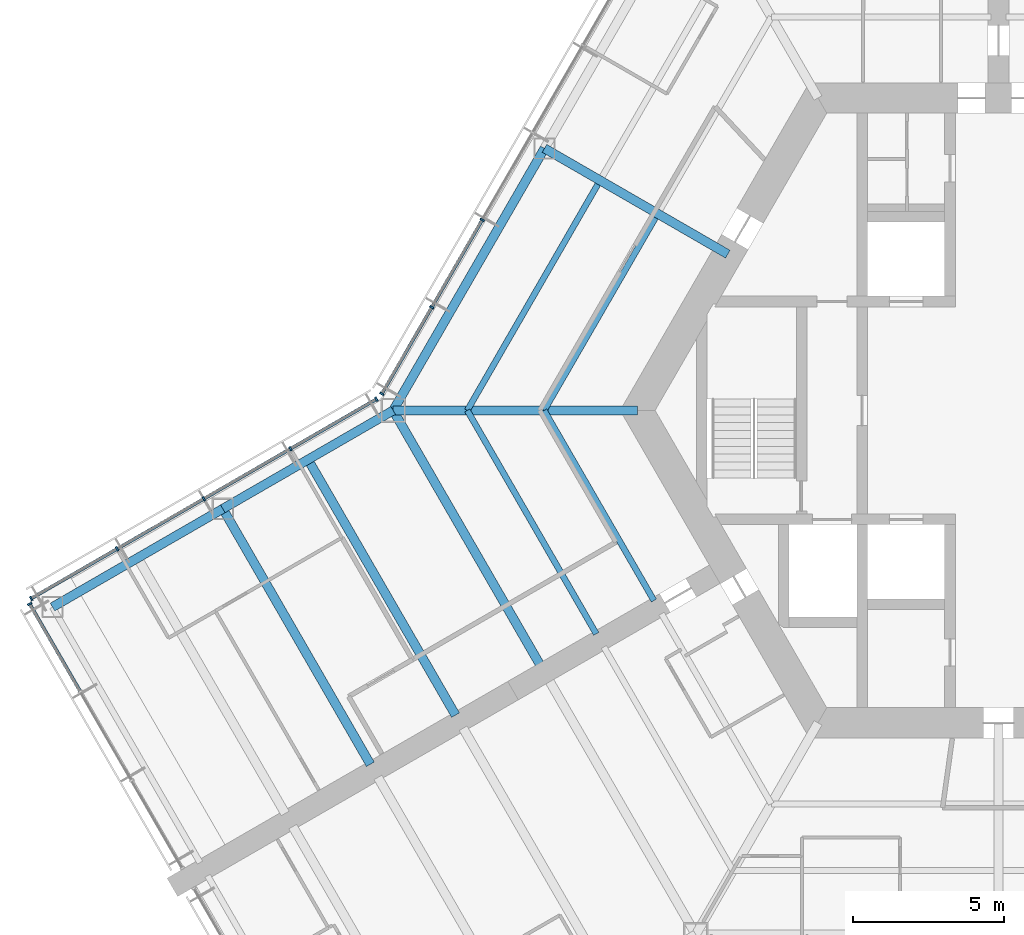
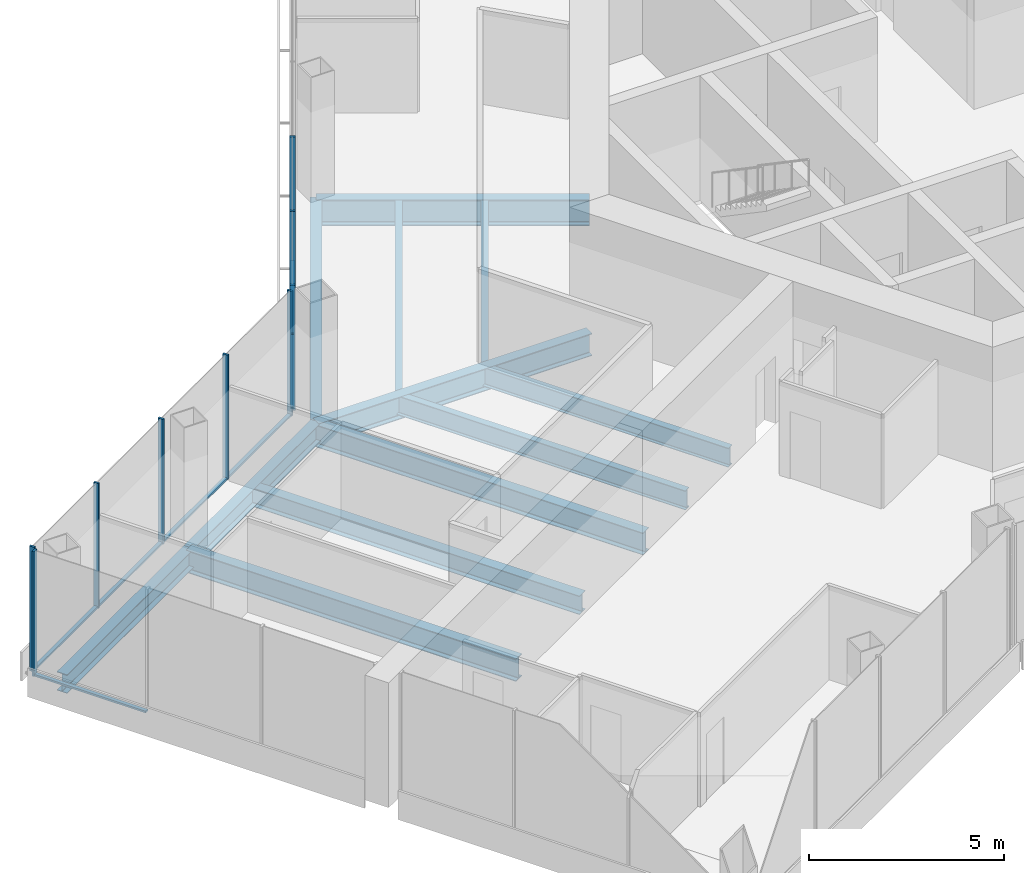
# One storey, part 4 of 18: 16 members, 12 beams, 3 elements without a shape of their own.
"""IFC4 building model written with IfcOpenShell, lengths in metres."""

from ifc_helpers import new_model, si_unit, direction, frame, origin, origin_2d, place, context, subcontext, project, spatial, rectangle, i_section, extrude, material, material_profile, profile_set, type_object, element, aggregate, save


model = new_model("IFC4")

# Units and contexts
model_context = context("Model", 3, precision=1e-05, world=origin(), true_north=direction((0.0, 1.0)))
body_context = subcontext(model_context, "Body", "Model", "MODEL_VIEW")
ifc_project = project(units=[si_unit("LENGTHUNIT", "METRE"), si_unit("AREAUNIT", "SQUARE_METRE"), si_unit("VOLUMEUNIT", "CUBIC_METRE"), si_unit("PLANEANGLEUNIT", "RADIAN"), si_unit("MASSUNIT", "GRAM", prefix="KILO")], contexts=[model_context])

# Site, building, storey
site_placement = place(None, origin())
site = spatial("IfcSite", under=ifc_project, at=site_placement, CompositionType="ELEMENT")
building_placement = place(site_placement, origin())
building = spatial("IfcBuilding", under=site, at=building_placement, Name="Kasaneha Research Tower", CompositionType="ELEMENT")
storey_placement = place(building_placement, frame((0.0, 0.0, 191.60009765625)))
storey = spatial("IfcBuildingStorey", under=building, at=storey_placement, Name="L48", CompositionType="ELEMENT", Elevation=191.60009765625)

# Beams
ifc_material_1 = material(Name="Steel SN490B", Category="steel")
ifc_material_profile_1 = material_profile(ifc_material_1, i_section(OverallWidth=0.199951171875, OverallDepth=0.60009765625, WebThickness=0.010986328125, FlangeThickness=0.01708984375, FilletRadius=0.012939453125, at=origin_2d()), Name="H-600x200x11x17")
ifc_profile_set_1 = profile_set([ifc_material_profile_1], Name="Steel SN490B")
beam_type_1 = type_object("IfcBeamType", Name="B1-3 secondary beam H-600x200x11x17", PredefinedType="JOIST", material=ifc_profile_set_1)
beam_1_placement = place(storey_placement, frame((-15.010986328125, 0.0, -0.4501953125), z_axis=(0.499994443168, 0.866028611999, 0.0), x_axis=(-0.866028611999, 0.499994443168, 0.0)))
element("IfcBeam", 1, at=beam_1_placement, inside=storey, type_object=beam_type_1, Name="Secondary beam RS150R1 L48", PredefinedType="JOIST", context=body_context, shape_type="SweptSolid", body=[
    extrude(i_section(OverallWidth=0.199951171875, OverallDepth=0.60009765625, WebThickness=0.010986328125, FlangeThickness=0.01708984375, FilletRadius=0.012939453125, at=origin_2d()), origin(), (0.0, 0.0, 1.0), 7.35546875),
])
beam_2_placement = place(storey_placement, frame((-17.551513671875, 0.0, -0.4501953125), z_axis=(0.5000050195, 0.866022505755, 0.0), x_axis=(-0.866022505755, 0.5000050195, 0.0)))
element("IfcBeam", 2, at=beam_2_placement, inside=storey, type_object=beam_type_1, Name="Secondary beam RS150R2 L48", PredefinedType="JOIST", context=body_context, shape_type="SweptSolid", body=[
    extrude(i_section(OverallWidth=0.199951171875, OverallDepth=0.60009765625, WebThickness=0.010986328125, FlangeThickness=0.01708984375, FilletRadius=0.012939453125, at=origin_2d()), origin(), (0.0, 0.0, 1.0), 8.6259765625),
])
beam_3_placement = place(storey_placement, frame((-15.010986328125, 0.0, -0.4501953125), z_axis=(0.499993340521, -0.866029248602, 0.0), x_axis=(0.866029248602, 0.499993340521, 0.0)))
element("IfcBeam", 3, at=beam_3_placement, inside=storey, type_object=beam_type_1, Name="Secondary beam RS210L1 L48", PredefinedType="JOIST", context=body_context, shape_type="SweptSolid", body=[
    extrude(i_section(OverallWidth=0.199951171875, OverallDepth=0.60009765625, WebThickness=0.010986328125, FlangeThickness=0.01708984375, FilletRadius=0.012939453125, at=origin_2d()), origin(), (0.0, 0.0, 1.0), 7.25537109375),
])
beam_4_placement = place(storey_placement, frame((-17.551513671875, 0.0, -0.4501953125), z_axis=(0.500004205306, -0.866022975836, 0.0), x_axis=(0.866022975836, 0.500004205306, 0.0)))
element("IfcBeam", 4, at=beam_4_placement, inside=storey, type_object=beam_type_1, Name="Secondary beam RS210L2 L48", PredefinedType="JOIST", context=body_context, shape_type="SweptSolid", body=[
    extrude(i_section(OverallWidth=0.199951171875, OverallDepth=0.60009765625, WebThickness=0.010986328125, FlangeThickness=0.01708984375, FilletRadius=0.012939453125, at=origin_2d()), origin(), (0.0, 0.0, 1.0), 8.52587890625),
])
ifc_material_2 = material(Name="Steel SN490B", Category="steel")
ifc_material_profile_2 = material_profile(ifc_material_2, i_section(OverallWidth=0.300048828125, OverallDepth=0.58203125, WebThickness=0.011962890625, FlangeThickness=0.01708984375, FilletRadius=0.012939453125, at=origin_2d()), Name="H-582x300x12x17")
ifc_profile_set_2 = profile_set([ifc_material_profile_2], Name="Steel SN490B")
beam_type_2 = type_object("IfcBeamType", Name="B2-3 secondary beam H-582x300x12x17", PredefinedType="JOIST", material=ifc_profile_set_2)
beam_5_placement = place(storey_placement, frame((-22.814697265625, -1.625, -0.441162109375), z_axis=(0.499995560238, -0.866027967067, 0.0), x_axis=(0.866027967067, 0.499995560238, 0.0)))
element("IfcBeam", 5, at=beam_5_placement, inside=storey, type_object=beam_type_2, Name="Secondary beam WBBP1 L48", PredefinedType="JOIST", context=body_context, shape_type="SweptSolid", body=[
    extrude(i_section(OverallWidth=0.300048828125, OverallDepth=0.58203125, WebThickness=0.011962890625, FlangeThickness=0.01708984375, FilletRadius=0.012939453125, at=origin_2d()), origin(), (0.0, 0.0, 1.0), 9.75),
])

# Curtain wall, members
ifc_material_3 = material(Name="Glass and aluminium", Category="aluminium")
curtain_wall_type = type_object("IfcCurtainWallType", Name="Mid-rise office curtain wall", PredefinedType="USERDEFINED", material=ifc_material_3)
curtain_wall_1_placement = place(storey_placement, origin())
curtain_wall_1 = element("IfcCurtainWall", 6, at=curtain_wall_1_placement, inside=storey, type_object=curtain_wall_type, Name="CW-O2 L48 run 08a", ObjectType="UNITISED CURTAIN WALL", PredefinedType="USERDEFINED")
ifc_material_4 = material(Name="Aluminium 6063-T6", Category="aluminium")
ifc_material_profile_3 = material_profile(ifc_material_4, rectangle(XDim=0.06005859375, YDim=0.14990234375, at=origin_2d()), Name="CW-O2 mullion 60x150")
ifc_profile_set_3 = profile_set([ifc_material_profile_3], Name="Aluminium 6063-T6")
member_type_1 = type_object("IfcMemberType", Name="CW-O2 mullion", PredefinedType="MULLION", material=ifc_profile_set_3)
member_1_placement = place(storey_placement, frame((-17.058349609375, 6.295166015625, 0.0), z_axis=(0.0, 0.0, 1.0), x_axis=(-0.499999979232, -0.866025415775, 0.0)))
member_1 = element("IfcMember", 7, at=member_1_placement, type_object=member_type_1, Name="CW-O2 mullion 5", PredefinedType="MULLION", context=body_context, shape_type="SweptSolid", body=[
    extrude(rectangle(XDim=0.06005859375, YDim=0.14990234375, at=origin_2d()), origin(), (0.0, 0.0, 1.0), 3.89990234375),
])
member_2_placement = place(storey_placement, frame((-18.723876953125, 3.410400390625, 0.0), z_axis=(0.0, 0.0, 1.0), x_axis=(-0.499999979232, -0.866025415775, 0.0)))
member_2 = element("IfcMember", 8, at=member_2_placement, type_object=member_type_1, Name="CW-O2 mullion 6", PredefinedType="MULLION", context=body_context, shape_type="SweptSolid", body=[
    extrude(rectangle(XDim=0.06005859375, YDim=0.14990234375, at=origin_2d()), origin(), (0.0, 0.0, 1.0), 3.89990234375),
])
member_3_placement = place(storey_placement, frame((-20.374267578125, 0.5517578125, 0.0), z_axis=(0.0, 0.0, 1.0), x_axis=(-0.499999979232, -0.866025415775, 0.0)))
member_3 = element("IfcMember", 9, at=member_3_placement, type_object=member_type_1, Name="CW-O2 mullion 7", PredefinedType="MULLION", context=body_context, shape_type="SweptSolid", body=[
    extrude(rectangle(XDim=0.06005859375, YDim=0.14990234375, at=origin_2d()), origin(), (0.0, 0.0, 1.0), 3.89990234375),
])

curtain_wall_2_placement = place(storey_placement, origin())
curtain_wall_2 = element("IfcCurtainWall", 10, at=curtain_wall_2_placement, inside=storey, type_object=curtain_wall_type, Name="CW-O2 L48 run 09a", ObjectType="UNITISED CURTAIN WALL", PredefinedType="USERDEFINED")
member_4_placement = place(storey_placement, frame((-20.5517578125, 0.374267578125, 0.0), z_axis=(0.0, 0.0, 1.0), x_axis=(-0.866025411464, -0.499999986699, 0.0)))
member_4 = element("IfcMember", 11, at=member_4_placement, type_object=member_type_1, Name="CW-O2 mullion 1", PredefinedType="MULLION", context=body_context, shape_type="SweptSolid", body=[
    extrude(rectangle(XDim=0.06005859375, YDim=0.14990234375, at=origin_2d()), origin(), (0.0, 0.0, 1.0), 3.89990234375),
])
member_5_placement = place(storey_placement, frame((-23.39208984375, -1.265625, 0.0), z_axis=(0.0, 0.0, 1.0), x_axis=(-0.866025411464, -0.499999986699, 0.0)))
member_5 = element("IfcMember", 12, at=member_5_placement, type_object=member_type_1, Name="CW-O2 mullion 2", PredefinedType="MULLION", context=body_context, shape_type="SweptSolid", body=[
    extrude(rectangle(XDim=0.06005859375, YDim=0.14990234375, at=origin_2d()), origin(), (0.0, 0.0, 1.0), 3.89990234375),
])
member_6_placement = place(storey_placement, frame((-26.258544921875, -2.920654296875, 0.0), z_axis=(0.0, 0.0, 1.0), x_axis=(-0.866025411464, -0.499999986699, 0.0)))
member_6 = element("IfcMember", 13, at=member_6_placement, type_object=member_type_1, Name="CW-O2 mullion 3", PredefinedType="MULLION", context=body_context, shape_type="SweptSolid", body=[
    extrude(rectangle(XDim=0.06005859375, YDim=0.14990234375, at=origin_2d()), origin(), (0.0, 0.0, 1.0), 3.89990234375),
])
member_7_placement = place(storey_placement, frame((-29.125, -4.575439453125, 0.0), z_axis=(0.0, 0.0, 1.0), x_axis=(-0.866025411464, -0.499999986699, 0.0)))
member_7 = element("IfcMember", 14, at=member_7_placement, type_object=member_type_1, Name="CW-O2 mullion 4", PredefinedType="MULLION", context=body_context, shape_type="SweptSolid", body=[
    extrude(rectangle(XDim=0.06005859375, YDim=0.14990234375, at=origin_2d()), origin(), (0.0, 0.0, 1.0), 3.89990234375),
])
member_8_placement = place(storey_placement, frame((-31.96533203125, -6.21533203125, 0.0), z_axis=(0.0, 0.0, 1.0), x_axis=(-0.866025411464, -0.499999986699, 0.0)))
member_8 = element("IfcMember", 15, at=member_8_placement, type_object=member_type_1, Name="CW-O2 mullion 5", PredefinedType="MULLION", context=body_context, shape_type="SweptSolid", body=[
    extrude(rectangle(XDim=0.06005859375, YDim=0.14990234375, at=origin_2d()), origin(), (0.0, 0.0, 1.0), 3.89990234375),
])

# Curtain wall, member
curtain_wall_3_placement = place(storey_placement, origin())
curtain_wall_3 = element("IfcCurtainWall", 16, at=curtain_wall_3_placement, inside=storey, type_object=curtain_wall_type, Name="CW-O2 L48 run 10a", ObjectType="UNITISED CURTAIN WALL", PredefinedType="USERDEFINED")
member_9_placement = place(storey_placement, frame((-32.012939453125, -6.39306640625, 0.0), z_axis=(0.0, 0.0, 1.0), x_axis=(0.500000011442, -0.866025397178, 0.0)))
member_9 = element("IfcMember", 17, at=member_9_placement, type_object=member_type_1, Name="CW-O2 mullion 1", PredefinedType="MULLION", context=body_context, shape_type="SweptSolid", body=[
    extrude(rectangle(XDim=0.06005859375, YDim=0.14990234375, at=origin_2d()), origin(), (0.0, 0.0, 1.0), 3.89990234375),
])

# Member
ifc_material_5 = material(Name="Aluminium 6063-T6", Category="aluminium")
ifc_material_profile_4 = material_profile(ifc_material_5, rectangle(XDim=0.110107421875, YDim=0.06005859375, at=origin_2d()), Name="CW-O2 transom 110x60")
ifc_profile_set_4 = profile_set([ifc_material_profile_4], Name="Aluminium 6063-T6")
member_type_2 = type_object("IfcMemberType", Name="CW-O2 transom", PredefinedType="USERDEFINED", material=ifc_profile_set_4)
member_10_placement = place(storey_placement, frame((-17.0732421875, 6.269287109375, 0.02978515625), z_axis=(-0.500000270186, -0.866025247793, 0.0), x_axis=(0.866025247793, -0.500000270186, 0.0)))
member_10 = element("IfcMember", 18, at=member_10_placement, type_object=member_type_2, Name="CW-O2 transom 5", ObjectType="TRANSOM", PredefinedType="USERDEFINED", context=body_context, shape_type="SweptSolid", body=[
    extrude(rectangle(XDim=0.110107421875, YDim=0.06005859375, at=origin_2d()), origin(), (0.0, 0.0, 1.0), 3.27099609375),
])

member_11_placement = place(storey_placement, frame((-18.73876953125, 3.384521484375, 0.02978515625), z_axis=(-0.499987643696, -0.866032537582, 0.0), x_axis=(0.866032537582, -0.499987643696, 0.0)))
member_11 = element("IfcMember", 19, at=member_11_placement, type_object=member_type_2, Name="CW-O2 transom 6", ObjectType="TRANSOM", PredefinedType="USERDEFINED", context=body_context, shape_type="SweptSolid", body=[
    extrude(rectangle(XDim=0.110107421875, YDim=0.06005859375, at=origin_2d()), origin(), (0.0, 0.0, 1.0), 3.24072265625),
])

aggregate(curtain_wall_1, [member_1, member_2, member_3, member_10, member_11])

member_12_placement = place(storey_placement, frame((-20.577880859375, 0.359130859375, 0.02978515625), z_axis=(-0.866022692473, -0.500004696101, 0.0), x_axis=(0.500004696101, -0.866022692473, 0.0)))
member_12 = element("IfcMember", 20, at=member_12_placement, type_object=member_type_2, Name="CW-O2 transom 1", ObjectType="TRANSOM", PredefinedType="USERDEFINED", context=body_context, shape_type="SweptSolid", body=[
    extrude(rectangle(XDim=0.110107421875, YDim=0.06005859375, at=origin_2d()), origin(), (0.0, 0.0, 1.0), 3.2197265625),
])

member_13_placement = place(storey_placement, frame((-23.418212890625, -1.28076171875, 0.02978515625), z_axis=(-0.86604797581, -0.499960902066, 0.0), x_axis=(0.499960902066, -0.86604797581, 0.0)))
member_13 = element("IfcMember", 21, at=member_13_placement, type_object=member_type_2, Name="CW-O2 transom 2", ObjectType="TRANSOM", PredefinedType="USERDEFINED", context=body_context, shape_type="SweptSolid", body=[
    extrude(rectangle(XDim=0.110107421875, YDim=0.06005859375, at=origin_2d()), origin(), (0.0, 0.0, 1.0), 3.249755859375),
])

member_14_placement = place(storey_placement, frame((-26.28466796875, -2.935546875, 0.02978515625), z_axis=(-0.86599666273, -0.500049777664, 0.0), x_axis=(0.500049777664, -0.86599666273, 0.0)))
member_14 = element("IfcMember", 22, at=member_14_placement, type_object=member_type_2, Name="CW-O2 transom 3", ObjectType="TRANSOM", PredefinedType="USERDEFINED", context=body_context, shape_type="SweptSolid", body=[
    extrude(rectangle(XDim=0.110107421875, YDim=0.06005859375, at=origin_2d()), origin(), (0.0, 0.0, 1.0), 3.249755859375),
])

member_15_placement = place(storey_placement, frame((-29.15087890625, -4.590576171875, 0.02978515625), z_axis=(-0.866041647767, -0.499971863542, 0.0), x_axis=(0.499971863542, -0.866041647767, 0.0)))
member_15 = element("IfcMember", 23, at=member_15_placement, type_object=member_type_2, Name="CW-O2 transom 4", ObjectType="TRANSOM", PredefinedType="USERDEFINED", context=body_context, shape_type="SweptSolid", body=[
    extrude(rectangle(XDim=0.110107421875, YDim=0.06005859375, at=origin_2d()), origin(), (0.0, 0.0, 1.0), 3.219970703125),
])

aggregate(curtain_wall_2, [member_4, member_5, member_6, member_7, member_8, member_12, member_13, member_14, member_15])

member_16_placement = place(storey_placement, frame((-31.998046875, -6.4189453125, 0.02978515625), z_axis=(0.500021914551, -0.866012751043, 0.0), x_axis=(0.866012751043, 0.500021914551, 0.0)))
member_16 = element("IfcMember", 24, at=member_16_placement, type_object=member_type_2, Name="CW-O2 transom 1", ObjectType="TRANSOM", PredefinedType="USERDEFINED", context=body_context, shape_type="SweptSolid", body=[
    extrude(rectangle(XDim=0.110107421875, YDim=0.06005859375, at=origin_2d()), origin(), (0.0, 0.0, 1.0), 3.293212890625),
])

aggregate(curtain_wall_3, [member_9, member_16])

# Beams
ifc_material_6 = material(Name="Steel SN490B", Category="steel")
ifc_material_profile_5 = material_profile(ifc_material_6, i_section(OverallWidth=0.300048828125, OverallDepth=0.699951171875, WebThickness=0.012939453125, FlangeThickness=0.02392578125, FilletRadius=0.01806640625, at=origin_2d()), Name="H-700x300x13x24")
ifc_profile_set_5 = profile_set([ifc_material_profile_5], Name="Steel SN490B")
beam_type_3 = type_object("IfcBeamType", Name="G1-3 radial girder H-700x300x13x24", PredefinedType="BEAM", material=ifc_profile_set_5)
beam_6_placement = place(storey_placement, frame((-11.92236328125, 0.0, -0.5), z_axis=(-1.0, 0.0, 0.0), x_axis=(0.0, -1.0, 0.0)))
element("IfcBeam", 25, at=beam_6_placement, inside=storey, type_object=beam_type_3, Name="Radial girder RV180 L48", PredefinedType="BEAM", context=body_context, shape_type="SweptSolid", body=[
    extrude(i_section(OverallWidth=0.300048828125, OverallDepth=0.699951171875, WebThickness=0.012939453125, FlangeThickness=0.02392578125, FilletRadius=0.01806640625, at=origin_2d()), origin(), (0.0, 0.0, 1.0), 8.07763671875),
])
ifc_material_7 = material(Name="Steel SN490B", Category="steel")
ifc_material_profile_6 = material_profile(ifc_material_7, i_section(OverallWidth=0.300048828125, OverallDepth=0.800048828125, WebThickness=0.013916015625, FlangeThickness=0.02587890625, FilletRadius=0.01806640625, at=origin_2d()), Name="H-800x300x14x26")
ifc_profile_set_6 = profile_set([ifc_material_profile_6], Name="Steel SN490B")
beam_type_4 = type_object("IfcBeamType", Name="G2-3 radial girder H-800x300x14x26", PredefinedType="BEAM", material=ifc_profile_set_6)
beam_7_placement = place(storey_placement, frame((-8.941650390625, 5.16259765625, -0.550048828125), z_axis=(-0.866039713508, 0.499975214012, 0.0), x_axis=(-0.499975214012, -0.866039713508, 0.0)))
element("IfcBeam", 26, at=beam_7_placement, inside=storey, type_object=beam_type_4, Name="Radial girder RM150 L48", PredefinedType="BEAM", context=body_context, shape_type="SweptSolid", body=[
    extrude(i_section(OverallWidth=0.300048828125, OverallDepth=0.800048828125, WebThickness=0.013916015625, FlangeThickness=0.02587890625, FilletRadius=0.01806640625, at=origin_2d()), origin(), (0.0, 0.0, 1.0), 6.995361328125),
])
ifc_material_8 = material(Name="Steel SN490B", Category="steel")
ifc_material_profile_7 = material_profile(ifc_material_8, i_section(OverallWidth=0.300048828125, OverallDepth=0.69189453125, WebThickness=0.012939453125, FlangeThickness=0.02001953125, FilletRadius=0.01806640625, at=origin_2d()), Name="H-692x300x13x20")
ifc_profile_set_7 = profile_set([ifc_material_profile_7], Name="Steel SN490B")
beam_type_5 = type_object("IfcBeamType", Name="G3-3 plate edge girder H-692x300x13x20", PredefinedType="BEAM", material=ifc_profile_set_7)
beam_8_placement = place(storey_placement, frame((-20.0, 0.0, -0.49609375), z_axis=(0.499995560238, -0.866027967067, 0.0), x_axis=(0.866027967067, 0.499995560238, 0.0)))
element("IfcBeam", 27, at=beam_8_placement, inside=storey, type_object=beam_type_5, Name="Plate edge girder PEBP L48", PredefinedType="BEAM", context=body_context, shape_type="SweptSolid", body=[
    extrude(i_section(OverallWidth=0.300048828125, OverallDepth=0.69189453125, WebThickness=0.012939453125, FlangeThickness=0.02001953125, FilletRadius=0.01806640625, at=origin_2d()), origin(), (0.0, 0.0, 1.0), 9.75),
])
ifc_material_9 = material(Name="Steel SN490B", Category="steel")
ifc_material_profile_8 = material_profile(ifc_material_9, i_section(OverallWidth=0.300048828125, OverallDepth=0.699951171875, WebThickness=0.012939453125, FlangeThickness=0.02392578125, FilletRadius=0.01806640625, at=origin_2d()), Name="H-700x300x13x24")
ifc_profile_set_8 = profile_set([ifc_material_profile_8], Name="Steel SN490B")
beam_type_6 = type_object("IfcBeamType", Name="G4-3 wing girder H-700x300x13x24", PredefinedType="BEAM", material=ifc_profile_set_8)
beam_9_placement = place(storey_placement, frame((-25.629150390625, -3.25, -0.5), z_axis=(0.499995560238, -0.866027967067, 0.0), x_axis=(0.866027967067, 0.499995560238, 0.0)))
element("IfcBeam", 28, at=beam_9_placement, inside=storey, type_object=beam_type_6, Name="Wing girder WGBP L48", PredefinedType="BEAM", context=body_context, shape_type="SweptSolid", body=[
    extrude(i_section(OverallWidth=0.300048828125, OverallDepth=0.699951171875, WebThickness=0.012939453125, FlangeThickness=0.02392578125, FilletRadius=0.01806640625, at=origin_2d()), origin(), (0.0, 0.0, 1.0), 9.75),
])
ifc_material_10 = material(Name="Steel SN490B", Category="steel")
ifc_material_profile_9 = material_profile(ifc_material_10, i_section(OverallWidth=0.300048828125, OverallDepth=0.69189453125, WebThickness=0.012939453125, FlangeThickness=0.02001953125, FilletRadius=0.01806640625, at=origin_2d()), Name="H-692x300x13x20")
ifc_profile_set_9 = profile_set([ifc_material_profile_9], Name="Steel SN490B")
beam_type_7 = type_object("IfcBeamType", Name="SB1-3 spandrel beam H-692x300x13x20", PredefinedType="SPANDREL", material=ifc_profile_set_9)
beam_10_placement = place(storey_placement, frame((-20.0, 0.0, -0.49609375), z_axis=(0.500004234368, 0.866022959057, 0.0), x_axis=(-0.866022959057, 0.500004234368, 0.0)))
element("IfcBeam", 29, at=beam_10_placement, inside=storey, type_object=beam_type_7, Name="Spandrel beam SR150R L48", PredefinedType="SPANDREL", context=body_context, shape_type="SweptSolid", body=[
    extrude(i_section(OverallWidth=0.300048828125, OverallDepth=0.69189453125, WebThickness=0.012939453125, FlangeThickness=0.02001953125, FilletRadius=0.01806640625, at=origin_2d()), origin(), (0.0, 0.0, 1.0), 10.0),
])
ifc_material_11 = material(Name="Steel SN490B", Category="steel")
ifc_material_profile_10 = material_profile(ifc_material_11, i_section(OverallWidth=0.300048828125, OverallDepth=0.58203125, WebThickness=0.011962890625, FlangeThickness=0.01708984375, FilletRadius=0.012939453125, at=origin_2d()), Name="H-582x300x12x17")
ifc_profile_set_10 = profile_set([ifc_material_profile_10], Name="Steel SN490B")
beam_type_8 = type_object("IfcBeamType", Name="SB2-3 spandrel beam H-582x300x12x17", PredefinedType="SPANDREL", material=ifc_profile_set_10)
for number, where, z_axis, x_axis, name in (
    (30, (-20.0, 0.0, -0.441162109375), (-0.866024837091, -0.50000098154, 0.0), (0.50000098154, -0.866024837091, 0.0), "Spandrel beam WSBP1 L48"),
    (31, (-25.629150390625, -3.25, -0.441162109375), (-0.866024837091, -0.50000098154, 0.0), (0.50000098154, -0.866024837091, 0.0), "Spandrel beam WSBP2 L48"),
):
    element("IfcBeam", number, at=place(storey_placement, frame(where, z_axis=z_axis, x_axis=x_axis)), inside=storey, type_object=beam_type_8, Name=name, PredefinedType="SPANDREL", context=body_context, shape_type="SweptSolid", body=[
        extrude(i_section(OverallWidth=0.300048828125, OverallDepth=0.58203125, WebThickness=0.011962890625, FlangeThickness=0.01708984375, FilletRadius=0.012939453125, at=origin_2d()), origin(), (0.0, 0.0, 1.0), 6.5),
    ])

save(model, "model.ifc")
